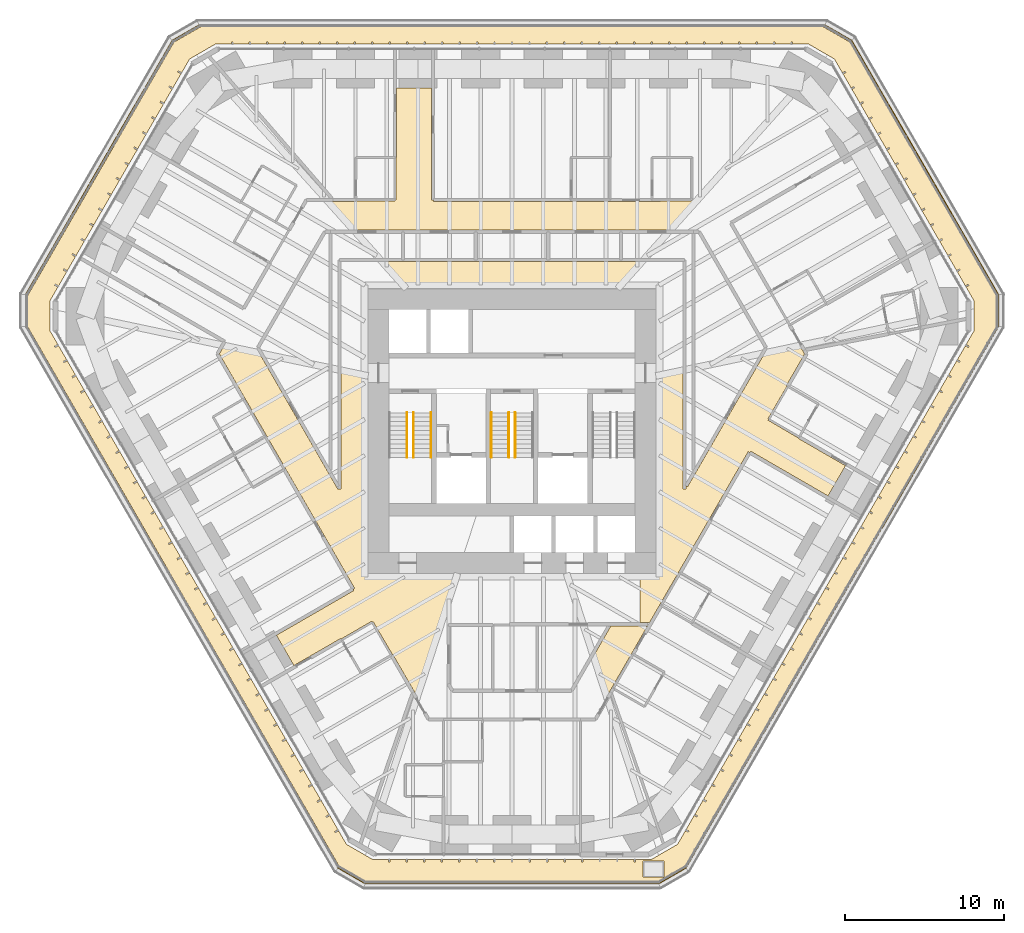
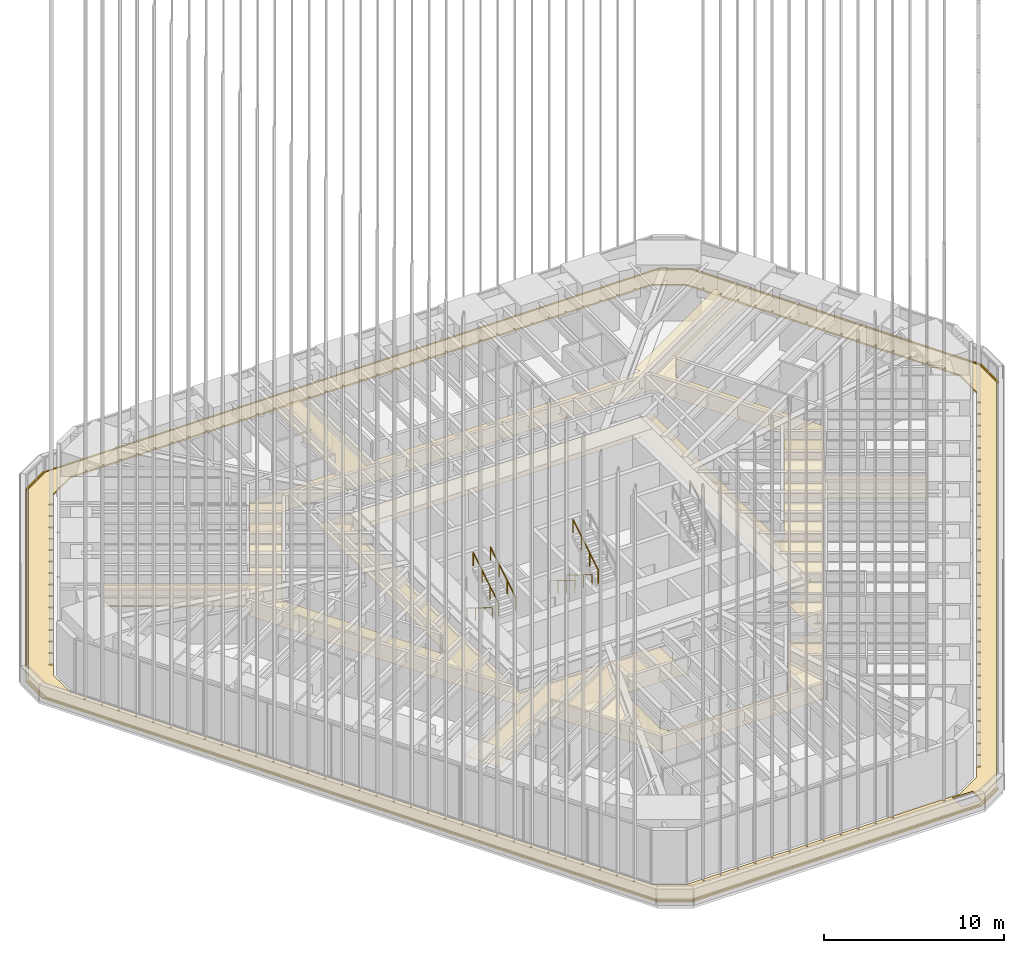
# One storey, part 237 of 238: 6 railings, 3 coverings.
"""IFC4 building model written with IfcOpenShell, lengths in metres."""

import ifcopenshell
import ifcopenshell.guid

model = None  # the IFC model being written
_history = None  # IfcOwnerHistory: only IFC2X3 demands one
_inside = {}  # id of a spatial element -> (the spatial element, [elements in it])
_under = {}  # id of a project, library or spatial element -> (it, [spatial elements below it])
_declared = {}  # id of a project -> (the project, [libraries it declares])
_typed = {}  # id of a type object -> (the type object, [elements of that type])
_made_of = {}  # id of a material, layer set ... -> (it, [elements and type objects made of it])


def new_model(schema):
    """Start an empty IFC model of exactly this schema.

    Asked for "IFC4X3", IfcOpenShell would pick the latest addendum, in which some entities
    have other attributes; the version numbers below select the first issue.
    IFC2X3 requires an IfcOwnerHistory on every rooted entity: one is made here for all.
    """
    global model, _history
    if schema == "IFC4X3":
        model = ifcopenshell.file(schema_version=(4, 3, 0, 0))
    else:
        model = ifcopenshell.file(schema=schema)
    _inside.clear()
    _under.clear()
    _declared.clear()
    _typed.clear()
    _made_of.clear()
    _history = None
    if model.schema == "IFC2X3":
        org = make("IfcOrganization", Name="unknown")
        user = make(
            "IfcPersonAndOrganization",
            ThePerson=make("IfcPerson", FamilyName="unknown"),
            TheOrganization=org,
        )
        app = make(
            "IfcApplication",
            ApplicationDeveloper=org,
            Version="unknown",
            ApplicationFullName="unknown",
            ApplicationIdentifier="unknown",
        )
        _history = make(
            "IfcOwnerHistory",
            OwningUser=user,
            OwningApplication=app,
            ChangeAction="ADDED",
            CreationDate=0,
        )
    return model


def make(cls, **values):
    """One entity of the class cls with the attributes given. An attribute that is None is left unset."""
    return model.create_entity(
        cls, **{name: value for name, value in values.items() if value is not None}
    )


def rooted(cls, **values):
    """An entity with a GlobalId (a new one), such as an element, a storey or a relation."""
    return make(cls, GlobalId=ifcopenshell.guid.new(), OwnerHistory=_history, **values)


def si_unit(unit_type, name, prefix=None):
    """IfcSIUnit, for example si_unit("LENGTHUNIT", "METRE", prefix="MILLI")."""
    return make("IfcSIUnit", UnitType=unit_type, Prefix=prefix, Name=name)


def assignment(units):
    """IfcUnitAssignment: the units of a project."""
    return None if units is None else make("IfcUnitAssignment", Units=units)


def point(xyz):
    """IfcCartesianPoint."""
    return None if xyz is None else make("IfcCartesianPoint", Coordinates=xyz)


def direction(xyz):
    """IfcDirection."""
    return None if xyz is None else make("IfcDirection", DirectionRatios=xyz)


def frame(location, z_axis=None, x_axis=None):
    """IfcAxis2Placement3D, a coordinate frame: its origin and axes. An axis left out is left unset."""
    return make(
        "IfcAxis2Placement3D",
        Location=point(location),
        Axis=direction(z_axis),
        RefDirection=direction(x_axis),
    )


def frame_2d(location, x_axis=None):
    """IfcAxis2Placement2D, a coordinate frame in the plane: its origin and x axis."""
    return make(
        "IfcAxis2Placement2D", Location=point(location), RefDirection=direction(x_axis)
    )


def origin():
    """The frame at (0, 0, 0) with its axes left unset."""
    return frame((0.0, 0.0, 0.0))


def origin_2d():
    """The frame at (0, 0) in the plane with its x axis left unset."""
    return frame_2d((0.0, 0.0))


def place(relative_to, where):
    """IfcLocalPlacement: puts the frame where relative to a parent placement (None: the world)."""
    return make(
        "IfcLocalPlacement", PlacementRelTo=relative_to, RelativePlacement=where
    )


def context(
    kind, dimensions, precision=None, world=None, true_north=None, identifier=None
):
    """IfcGeometricRepresentationContext, for example the 3D "Model" context."""
    return make(
        "IfcGeometricRepresentationContext",
        ContextIdentifier=identifier,
        ContextType=kind,
        CoordinateSpaceDimension=dimensions,
        Precision=precision,
        WorldCoordinateSystem=world,
        TrueNorth=true_north,
    )


def subcontext(parent, identifier, kind, view, scale=None):
    """IfcGeometricRepresentationSubContext, for example "Body" below "Model"."""
    return make(
        "IfcGeometricRepresentationSubContext",
        ContextIdentifier=identifier,
        ContextType=kind,
        ParentContext=parent,
        TargetScale=scale,
        TargetView=view,
    )


def project(units=None, contexts=None):
    """IfcProject with its units and contexts."""
    return rooted(
        "IfcProject",
        Name="project",
        RepresentationContexts=contexts,
        UnitsInContext=assignment(units),
    )


def spatial(cls, under=None, at=None, **own):
    """A site, building, storey or space (cls), placed at a placement, below another one or the project."""
    s = rooted(cls, ObjectPlacement=at, **own)
    if under is not None:
        _under.setdefault(under.id(), (under, []))[1].append(s)
    return s


def polyline(points):
    """IfcPolyline through the points."""
    return make("IfcPolyline", Points=[point(p) for p in points])


def profile(cls, at=None, kind="AREA", **sizes):
    """A parametric profile (cls). Its sizes go by their IFC names, for example OverallWidth=200.0."""
    return make(cls, ProfileType=kind, Position=at, **sizes)


def circle(**sizes):
    """IfcCircleProfileDef."""
    return profile("IfcCircleProfileDef", **sizes)


def outline(outer, holes=None, kind="AREA"):
    """IfcArbitraryClosedProfileDef: a profile drawn as a closed curve; with holes, ...WithVoids."""
    if holes is None:
        return make("IfcArbitraryClosedProfileDef", ProfileType=kind, OuterCurve=outer)
    return make(
        "IfcArbitraryProfileDefWithVoids",
        ProfileType=kind,
        OuterCurve=outer,
        InnerCurves=holes,
    )


def extrude(swept, where, along, depth):
    """IfcExtrudedAreaSolid: the profile swept, set in the frame where, extruded along a direction by depth."""
    return make(
        "IfcExtrudedAreaSolid",
        SweptArea=swept,
        Position=where,
        ExtrudedDirection=direction(along),
        Depth=depth,
    )


def shape(context_of_items, identifier, shape_type, items):
    """IfcShapeRepresentation: the items that make up one representation, for example the "Body"."""
    return make(
        "IfcShapeRepresentation",
        ContextOfItems=context_of_items,
        RepresentationIdentifier=identifier,
        RepresentationType=shape_type,
        Items=items,
    )


def material(Name=None, Category=None):
    """IfcMaterial."""
    return make("IfcMaterial", Name=Name, Category=Category)


def layer(
    of_material, thickness, ventilated=None, Name=None, Category=None, Priority=None
):
    """IfcMaterialLayer: one layer of a wall or slab, of a material (None: an air gap)."""
    return make(
        "IfcMaterialLayer",
        Material=of_material,
        LayerThickness=thickness,
        IsVentilated=ventilated,
        Name=Name,
        Category=Category,
        Priority=Priority,
    )


def layer_set(layers, Name=None):
    """IfcMaterialLayerSet."""
    return make("IfcMaterialLayerSet", MaterialLayers=layers, LayerSetName=Name)


def made_of(thing, what):
    """Note that an element or type object is made of a material, layer set ...; save() writes the relation."""
    if what is not None:
        _made_of.setdefault(what.id(), (what, []))[1].append(thing)
    return thing


def type_object(cls, material=None, **own):
    """A type object (cls), such as IfcWallType, which elements share."""
    return made_of(rooted(cls, **own), material)


def element(
    cls,
    number,
    at=None,
    inside=None,
    cuts=None,
    type_object=None,
    material=None,
    context=None,
    identifier="Body",
    shape_type=None,
    held_by="IfcProductDefinitionShape",
    body=None,
    shapes=None,
    **own,
):
    """One element of the class cls, such as IfcWall. Its Tag is "e" and its number.

    at: its placement. inside: the storey or other place that contains it. cuts: it is an
    opening in that element (IfcRelVoidsElement). A single representation is given by context,
    identifier, shape_type and body (its items); several are given by shapes. held_by: the class
    of the entity that holds the representations. save() writes the other relations.
    """
    e = rooted(cls, Tag="e%d" % number, ObjectPlacement=at, **own)
    if body is not None:
        shapes = [shape(context, identifier, shape_type, body)]
    if shapes is not None:
        e.Representation = make(held_by, Representations=shapes)
    if inside is not None:
        _inside.setdefault(inside.id(), (inside, []))[1].append(e)
    if cuts is not None:
        rooted(
            "IfcRelVoidsElement", RelatingBuildingElement=cuts, RelatedOpeningElement=e
        )
    if type_object is not None:
        _typed.setdefault(type_object.id(), (type_object, []))[1].append(e)
    return made_of(e, material)


def aggregate(whole, parts):
    """IfcRelAggregates: a whole, such as a stair, and the parts it consists of."""
    return rooted("IfcRelAggregates", RelatingObject=whole, RelatedObjects=parts)


def save(model, path):
    """Write the relations noted so far, then the file.

    IfcRelAggregates (storeys below a building ...), IfcRelContainedInSpatialStructure (elements
    in a storey), IfcRelDefinesByType, IfcRelAssociatesMaterial and IfcRelDeclares: one each for
    every whole, place, type object, material and project.
    """
    for whole, parts in _under.values():
        aggregate(whole, parts)
    for where, things in _inside.values():
        rooted(
            "IfcRelContainedInSpatialStructure",
            RelatedElements=things,
            RelatingStructure=where,
        )
    for kind, things in _typed.values():
        rooted("IfcRelDefinesByType", RelatedObjects=things, RelatingType=kind)
    for what, things in _made_of.values():
        rooted("IfcRelAssociatesMaterial", RelatedObjects=things, RelatingMaterial=what)
    for by, libraries in _declared.values():
        rooted("IfcRelDeclares", RelatingContext=by, RelatedDefinitions=libraries)
    model.write(path)


model = new_model("IFC4")

# Units and contexts
model_context = context("Model", 3, precision=1e-05, world=origin(), true_north=direction((0.0, 1.0)))
body_context = subcontext(model_context, "Body", "Model", "MODEL_VIEW")
ifc_project = project(units=[si_unit("LENGTHUNIT", "METRE"), si_unit("AREAUNIT", "SQUARE_METRE"), si_unit("VOLUMEUNIT", "CUBIC_METRE"), si_unit("PLANEANGLEUNIT", "RADIAN"), si_unit("MASSUNIT", "GRAM", prefix="KILO")], contexts=[model_context])

# Site, building, storey
site_placement = place(None, origin())
site = spatial("IfcSite", under=ifc_project, at=site_placement, CompositionType="ELEMENT")
building_placement = place(site_placement, origin())
building = spatial("IfcBuilding", under=site, at=building_placement, Name="Sandreach Pilgrim Tower", CompositionType="ELEMENT")
storey_placement = place(building_placement, frame((0.0, 0.0, 96.800048828125)))
storey = spatial("IfcBuildingStorey", under=building, at=storey_placement, Name="L23", CompositionType="ELEMENT", Elevation=96.800048828125)

# Coverings
ifc_material_1 = material(Name="Gypsum board suspended ceiling on a steel grid", Category="steel")
ifc_layer_1 = layer(ifc_material_1, 0.012939453125)
ifc_layer_set_1 = layer_set([ifc_layer_1], Name="Gypsum board suspended ceiling")
covering_type_1 = type_object("IfcCoveringType", Name="Gypsum board suspended ceiling", PredefinedType="CEILING", material=ifc_layer_set_1)
covering_1_placement = place(storey_placement, frame((0.0, 0.0, 2.39990234375)))
element("IfcCovering", 1, at=covering_1_placement, inside=storey, type_object=covering_type_1, Name="Ceiling 23C Corridor 23", PredefinedType="CEILING", context=body_context, shape_type="SweptSolid", body=[
    extrude(outline(polyline([(-24.987548828125, 8.184814453125), (-23.88671875, 10.09130859375), (-16.929931640625, 6.073486328125), (-16.869873046875, 6.165771484375), (-16.788330078125, 6.11865234375), (-12.872314453125, 12.889892578125), (-9.81005859375, 12.889892578125), (-9.81005859375, 12.929931640625), (-7.360107421875, 12.929931640625), (-7.360107421875, 12.989013671875), (-7.300048828125, 12.989990234375), (-7.284912109375, 15.659912109375), (-7.260009765625, 15.659912109375), (-7.260009765625, 20.03369140625), (-5.06005859375, 20.03369140625), (-5.06005859375, 12.989990234375), (-4.949951171875, 12.989990234375), (-4.949951171875, 12.889892578125), (8.820068359375, 12.889892578125), (10.1357421875, 12.929931640625), (11.25, 12.929931640625), (11.25, 12.9638671875), (11.295166015625, 12.950439453125), (11.308349609375, 12.965576171875), (12.234375, 12.993896484375), (12.049560546875, 13.314208984375), (19.796142578125, 17.786865234375), (20.02734375, 17.515380859375), (19.707275390625, 17.33056640625), (20.6796875, 15.646240234375), (13.719970703125, 11.626708984375), (13.7724609375, 11.52978515625), (13.6884765625, 11.4814453125), (18.412109375, 3.2958984375), (17.263427734375, 1.31005859375), (17.306396484375, 1.28515625), (16.09814453125, -0.7900390625), (16.14892578125, -0.8193359375), (16.119873046875, -0.871826171875), (18.032470703125, -1.9951171875), (18.02001953125, -2.0166015625), (20.981201171875, -3.72705078125), (19.880615234375, -5.63330078125), (15.012939453125, -2.82080078125), (14.962890625, -2.907470703125), (14.863525390625, -2.85009765625), (8.6533203125, -13.60009765625), (8.050048828125, -13.60009765625), (8.050048828125, -10.52001953125), (9.070068359375, -10.52001953125), (9.070068359375, 7.419921875), (-9.070068359375, 7.419921875), (-9.070068359375, -10.52001953125), (-0.175048828125, -10.52001953125), (-0.175048828125, -13.68994140625), (-1.199951171875, -13.67919921875), (-1.199951171875, -13.64990234375), (-3.989990234375, -13.64990234375), (-3.989990234375, -13.75), (-4.10009765625, -13.75), (-4.10009765625, -17.487060546875), (-3.8076171875, -17.989990234375), (3.8076171875, -17.989990234375), (6.2265625, -13.800048828125), (8.537353515625, -13.800048828125), (5.192138671875, -19.590087890625), (-5.192138671875, -19.590087890625), (-7.503662109375, -15.599853515625), (-7.52392578125, -15.611572265625), (-8.738037109375, -13.5400390625), (-8.79052734375, -13.569091796875), (-8.820068359375, -13.51806640625), (-10.739990234375, -14.6279296875), (-10.760009765625, -14.593505859375), (-13.72021484375, -16.30322265625), (-14.821044921875, -14.396728515625), (-9.952880859375, -11.583984375), (-10.00048828125, -11.501708984375), (-9.9033203125, -11.440185546875), (-18.41455078125, 3.30029296875), (-18.0009765625, 4.01708984375), (-18.083251953125, 4.064453125), (-18.030029296875, 4.16650390625), (-24.987548828125, 8.184814453125)]), holes=[polyline([(-16.095458984375, 3.699951171875), (-10.965576171875, -5.18994140625), (-10.85009765625, -5.19482421875), (-10.75, -5.18994140625), (-10.75, 9.10009765625), (10.75, 9.10009765625), (10.75, -5.18994140625), (10.949951171875, -5.18994140625), (10.949951171875, -4.99365234375), (11.047119140625, -5.050048828125), (16.095458984375, 3.699951171875), (11.82763671875, 11.090087890625), (-11.82763671875, 11.090087890625), (-16.095458984375, 3.699951171875)])]), origin(), (0.0, 0.0, 1.0), 0.012939453125),
])
ifc_material_2 = material(Name="Gravel ballast, insulation and waterproofing membrane", Category="stone")
ifc_layer_2 = layer(ifc_material_2, 0.10009765625)
ifc_layer_set_2 = layer_set([ifc_layer_2], Name="Setback roofing - ballast over insulation and membrane")
covering_type_2 = type_object("IfcCoveringType", Name="Setback roofing - ballast over insulation and membrane", PredefinedType="ROOFING", material=ifc_layer_set_2)
covering_2_placement = place(storey_placement, origin())
element("IfcCovering", 2, at=covering_2_placement, inside=storey, type_object=covering_type_2, Name="Setback roofing L23 RING", PredefinedType="ROOFING", context=body_context, shape_type="SweptSolid", body=[
    extrude(outline(polyline([(-19.577392578125, 23.88427734375), (19.577392578125, 23.88427734375), (21.264892578125, 22.915283203125), (30.477783203125, 6.95849609375), (30.472900390625, 5.012451171875), (10.8955078125, -28.896484375), (9.212646484375, -29.87353515625), (-9.212646484375, -29.87353515625), (-10.8955078125, -28.896484375), (-30.472900390625, 5.012451171875), (-30.477783203125, 6.95849609375), (-21.264892578125, 22.915283203125), (-19.577392578125, 23.88427734375)]), holes=[polyline([(-20.28271484375, 21.853759765625), (-20.77880859375, 20.994384765625), (-20.9912109375, 21.11669921875), (-21.0361328125, 21.038818359375), (-20.823974609375, 20.91650390625), (-21.332275390625, 20.035888671875), (-21.54443359375, 20.158203125), (-21.589599609375, 20.080322265625), (-21.377197265625, 19.9580078125), (-21.8857421875, 19.077392578125), (-22.097900390625, 19.199951171875), (-22.142822265625, 19.121826171875), (-21.9306640625, 18.99951171875), (-22.43896484375, 18.118896484375), (-22.651123046875, 18.241455078125), (-22.6962890625, 18.16357421875), (-22.48388671875, 18.041015625), (-22.992431640625, 17.160400390625), (-23.20458984375, 17.282958984375), (-23.24951171875, 17.205078125), (-23.037353515625, 17.08251953125), (-23.5458984375, 16.201904296875), (-23.7578125, 16.324462890625), (-23.802978515625, 16.24658203125), (-23.5908203125, 16.1240234375), (-24.09912109375, 15.243408203125), (-24.311279296875, 15.365966796875), (-24.356201171875, 15.2880859375), (-24.14404296875, 15.16552734375), (-24.652587890625, 14.28515625), (-24.86474609375, 14.40771484375), (-24.90966796875, 14.32958984375), (-24.697509765625, 14.20703125), (-25.205810546875, 13.32666015625), (-25.41796875, 13.44921875), (-25.462890625, 13.37109375), (-25.2509765625, 13.248779296875), (-25.75927734375, 12.3681640625), (-25.971435546875, 12.49072265625), (-26.016357421875, 12.41259765625), (-25.80419921875, 12.290283203125), (-26.3125, 11.40966796875), (-26.52490234375, 11.5322265625), (-26.56982421875, 11.454345703125), (-26.357666015625, 11.331787109375), (-26.865966796875, 10.451416015625), (-27.078125, 10.57373046875), (-27.123046875, 10.495849609375), (-26.910888671875, 10.373291015625), (-27.419189453125, 9.492919921875), (-27.631591796875, 9.615234375), (-27.676513671875, 9.537353515625), (-27.46435546875, 9.414794921875), (-27.97265625, 8.5341796875), (-28.184814453125, 8.65673828125), (-28.22998046875, 8.578857421875), (-28.017578125, 8.456298828125), (-28.526123046875, 7.575927734375), (-28.73828125, 7.698486328125), (-28.783203125, 7.620361328125), (-28.571044921875, 7.497802734375), (-29.0673828125, 6.638427734375), (-29.0673828125, 4.75830078125), (-28.57373046875, 3.903564453125), (-28.785888671875, 3.781005859375), (-28.740966796875, 3.703125), (-28.52880859375, 3.82568359375), (-28.02294921875, 2.94970703125), (-28.235107421875, 2.8271484375), (-28.190185546875, 2.749267578125), (-27.97802734375, 2.871826171875), (-27.472412109375, 1.995849609375), (-27.6845703125, 1.873291015625), (-27.639404296875, 1.79541015625), (-27.42724609375, 1.91796875), (-26.921630859375, 1.0419921875), (-27.1337890625, 0.91943359375), (-27.0888671875, 0.841552734375), (-26.876708984375, 0.964111328125), (-26.370849609375, 0.088134765625), (-26.5830078125, -0.0341796875), (-26.5380859375, -0.1123046875), (-26.325927734375, 0.01025390625), (-25.8203125, -0.865478515625), (-26.032470703125, -0.988037109375), (-25.9873046875, -1.066162109375), (-25.775146484375, -0.943603515625), (-25.26953125, -1.819580078125), (-25.481689453125, -1.94189453125), (-25.436767578125, -2.02001953125), (-25.224609375, -1.8974609375), (-24.71875, -2.773193359375), (-24.930908203125, -2.895751953125), (-24.885986328125, -2.973876953125), (-24.673828125, -2.851318359375), (-24.168212890625, -3.727294921875), (-24.38037109375, -3.849609375), (-24.335205078125, -3.927490234375), (-24.123046875, -3.80517578125), (-23.617431640625, -4.680908203125), (-23.82958984375, -4.803466796875), (-23.78466796875, -4.881591796875), (-23.572509765625, -4.759033203125), (-23.066650390625, -5.635009765625), (-23.27880859375, -5.75732421875), (-23.23388671875, -5.835205078125), (-23.021728515625, -5.712890625), (-22.51611328125, -6.588623046875), (-22.728271484375, -6.711181640625), (-22.68310546875, -6.7890625), (-22.470947265625, -6.66650390625), (-21.96533203125, -7.54248046875), (-22.177490234375, -7.6650390625), (-22.132568359375, -7.742919921875), (-21.92041015625, -7.62060546875), (-21.41455078125, -8.496337890625), (-21.626708984375, -8.618896484375), (-21.581787109375, -8.69677734375), (-21.36962890625, -8.57421875), (-20.864013671875, -9.4501953125), (-21.076171875, -9.57275390625), (-21.031005859375, -9.650634765625), (-20.81884765625, -9.5283203125), (-20.313232421875, -10.404052734375), (-20.525390625, -10.526611328125), (-20.48046875, -10.6044921875), (-20.268310546875, -10.48193359375), (-19.762451171875, -11.35791015625), (-19.974609375, -11.48046875), (-19.9296875, -11.558349609375), (-19.717529296875, -11.435791015625), (-19.2119140625, -12.311767578125), (-19.424072265625, -12.434326171875), (-19.37890625, -12.51220703125), (-19.166748046875, -12.3896484375), (-18.6611328125, -13.265625), (-18.873291015625, -13.38818359375), (-18.828369140625, -13.466064453125), (-18.6162109375, -13.343505859375), (-18.1103515625, -14.219482421875), (-18.322509765625, -14.342041015625), (-18.277587890625, -14.419921875), (-18.0654296875, -14.29736328125), (-17.559814453125, -15.17333984375), (-17.77197265625, -15.2958984375), (-17.726806640625, -15.373779296875), (-17.5146484375, -15.251220703125), (-17.009033203125, -16.127197265625), (-17.22119140625, -16.24951171875), (-17.17626953125, -16.32763671875), (-16.964111328125, -16.205078125), (-16.458251953125, -17.0810546875), (-16.67041015625, -17.20361328125), (-16.62548828125, -17.281494140625), (-16.413330078125, -17.158935546875), (-15.90771484375, -18.034912109375), (-16.119873046875, -18.1572265625), (-16.07470703125, -18.2353515625), (-15.862548828125, -18.11279296875), (-15.35693359375, -18.98876953125), (-15.569091796875, -19.111083984375), (-15.524169921875, -19.189208984375), (-15.31201171875, -19.066650390625), (-14.80615234375, -19.9423828125), (-15.018310546875, -20.06494140625), (-14.973388671875, -20.14306640625), (-14.76123046875, -20.0205078125), (-14.255615234375, -20.896484375), (-14.4677734375, -21.018798828125), (-14.422607421875, -21.0966796875), (-14.21044921875, -20.974365234375), (-13.704833984375, -21.85009765625), (-13.9169921875, -21.97265625), (-13.8720703125, -22.050537109375), (-13.659912109375, -21.927978515625), (-13.154052734375, -22.803955078125), (-13.3662109375, -22.926513671875), (-13.3212890625, -23.00439453125), (-13.109130859375, -22.882080078125), (-12.603515625, -23.7578125), (-12.815673828125, -23.88037109375), (-12.7705078125, -23.958251953125), (-12.558349609375, -23.835693359375), (-12.052734375, -24.711669921875), (-12.264892578125, -24.834228515625), (-12.219970703125, -24.912109375), (-12.0078125, -24.789794921875), (-11.501953125, -25.66552734375), (-11.714111328125, -25.7880859375), (-11.669189453125, -25.865966796875), (-11.45703125, -25.743408203125), (-10.951416015625, -26.619384765625), (-11.163330078125, -26.741943359375), (-11.118408203125, -26.81982421875), (-10.90625, -26.697509765625), (-10.41259765625, -27.55224609375), (-8.78466796875, -28.4921875), (-7.77197265625, -28.4921875), (-7.77197265625, -28.6572265625), (-7.681884765625, -28.6572265625), (-7.681884765625, -28.4921875), (-6.668212890625, -28.4921875), (-6.668212890625, -28.6572265625), (-6.578125, -28.6572265625), (-6.578125, -28.4921875), (-5.564208984375, -28.4921875), (-5.564208984375, -28.6572265625), (-5.47412109375, -28.6572265625), (-5.47412109375, -28.4921875), (-4.46044921875, -28.4921875), (-4.46044921875, -28.6572265625), (-4.370361328125, -28.6572265625), (-4.370361328125, -28.4921875), (-3.3564453125, -28.4921875), (-3.3564453125, -28.6572265625), (-3.2666015625, -28.6572265625), (-3.2666015625, -28.4921875), (-2.252685546875, -28.4921875), (-2.252685546875, -28.6572265625), (-2.16259765625, -28.6572265625), (-2.16259765625, -28.4921875), (-1.148681640625, -28.4921875), (-1.148681640625, -28.6572265625), (-1.058837890625, -28.6572265625), (-1.058837890625, -28.4921875), (-0.044921875, -28.4921875), (-0.044921875, -28.6572265625), (0.044921875, -28.6572265625), (0.044921875, -28.4921875), (1.058837890625, -28.4921875), (1.058837890625, -28.6572265625), (1.148681640625, -28.6572265625), (1.148681640625, -28.4921875), (2.16259765625, -28.4921875), (2.16259765625, -28.6572265625), (2.252685546875, -28.6572265625), (2.252685546875, -28.4921875), (3.2666015625, -28.4921875), (3.2666015625, -28.6572265625), (3.3564453125, -28.6572265625), (3.3564453125, -28.4921875), (4.370361328125, -28.4921875), (4.370361328125, -28.6572265625), (4.46044921875, -28.6572265625), (4.46044921875, -28.4921875), (7.681884765625, -28.4921875), (7.681884765625, -28.6572265625), (7.77197265625, -28.6572265625), (7.77197265625, -28.4921875), (8.78466796875, -28.4921875), (10.41259765625, -27.55224609375), (10.91162109375, -26.68798828125), (11.089111328125, -26.79052734375), (11.13427734375, -26.71240234375), (10.956787109375, -26.610107421875), (11.462158203125, -25.734619140625), (11.6396484375, -25.837158203125), (11.6845703125, -25.75927734375), (11.507080078125, -25.65673828125), (12.012451171875, -24.781494140625), (12.18994140625, -24.8837890625), (12.235107421875, -24.805908203125), (12.057373046875, -24.70361328125), (12.562744140625, -23.828125), (12.740234375, -23.9306640625), (12.785400390625, -23.852783203125), (12.60791015625, -23.750244140625), (13.11328125, -22.875), (13.290771484375, -22.977294921875), (13.335693359375, -22.8994140625), (13.158203125, -22.797119140625), (13.66357421875, -21.921630859375), (13.841064453125, -22.024169921875), (13.885986328125, -21.9462890625), (13.70849609375, -21.84375), (14.2138671875, -20.968505859375), (14.391357421875, -21.07080078125), (14.436279296875, -20.992919921875), (14.2587890625, -20.890380859375), (14.76416015625, -20.01513671875), (14.94189453125, -20.11767578125), (14.98681640625, -20.039794921875), (14.80908203125, -19.937255859375), (15.314697265625, -19.06201171875), (15.4921875, -19.164306640625), (15.537109375, -19.08642578125), (15.359619140625, -18.98388671875), (15.864990234375, -18.108642578125), (16.04248046875, -18.211181640625), (16.08740234375, -18.13330078125), (15.909912109375, -18.03076171875), (16.415283203125, -17.155517578125), (16.593017578125, -17.2578125), (16.637939453125, -17.179931640625), (16.460205078125, -17.077392578125), (16.9658203125, -16.2021484375), (17.143310546875, -16.3046875), (17.188232421875, -16.226806640625), (17.0107421875, -16.124267578125), (17.51611328125, -15.248779296875), (17.693603515625, -15.351318359375), (17.738525390625, -15.2734375), (17.56103515625, -15.1708984375), (18.06640625, -14.295654296875), (18.243896484375, -14.398193359375), (18.288818359375, -14.3203125), (18.111328125, -14.2177734375), (18.61669921875, -13.34228515625), (18.794189453125, -13.44482421875), (18.83935546875, -13.366943359375), (18.661865234375, -13.264404296875), (19.1669921875, -12.38916015625), (19.3447265625, -12.49169921875), (19.3896484375, -12.413818359375), (19.212158203125, -12.311279296875), (19.717529296875, -11.435791015625), (19.89501953125, -11.538330078125), (19.93994140625, -11.46044921875), (19.762451171875, -11.35791015625), (20.267822265625, -10.482666015625), (20.4453125, -10.585205078125), (20.490478515625, -10.507080078125), (20.31298828125, -10.40478515625), (20.818115234375, -9.529296875), (20.995849609375, -9.6318359375), (21.040771484375, -9.553955078125), (20.86328125, -9.451416015625), (21.36865234375, -8.576171875), (21.546142578125, -8.6787109375), (21.591064453125, -8.6005859375), (21.41357421875, -8.498291015625), (21.9189453125, -7.622802734375), (22.096435546875, -7.725341796875), (22.1416015625, -7.6474609375), (21.9638671875, -7.544921875), (22.46923828125, -6.669677734375), (22.646728515625, -6.772216796875), (22.69189453125, -6.694091796875), (22.514404296875, -6.591552734375), (23.019775390625, -5.71630859375), (23.197265625, -5.81884765625), (23.2421875, -5.740966796875), (23.064697265625, -5.638427734375), (23.570068359375, -4.76318359375), (23.74755859375, -4.865478515625), (23.79248046875, -4.78759765625), (23.614990234375, -4.68505859375), (24.120361328125, -3.809814453125), (24.2978515625, -3.912353515625), (24.343017578125, -3.83447265625), (24.165283203125, -3.73193359375), (24.6708984375, -2.856689453125), (24.848388671875, -2.958984375), (24.893310546875, -2.881103515625), (24.7158203125, -2.778564453125), (25.22119140625, -1.9033203125), (25.398681640625, -2.005859375), (25.443603515625, -1.927978515625), (25.26611328125, -1.825439453125), (25.771484375, -0.9501953125), (25.948974609375, -1.052490234375), (25.993896484375, -0.974609375), (25.81640625, -0.8720703125), (26.32177734375, 0.003173828125), (26.49951171875, -0.099365234375), (26.54443359375, -0.021484375), (26.36669921875, 0.0810546875), (26.872314453125, 0.95654296875), (27.0498046875, 0.85400390625), (27.0947265625, 0.931884765625), (26.917236328125, 1.034423828125), (27.422607421875, 1.90966796875), (27.60009765625, 1.80712890625), (27.64501953125, 1.88525390625), (27.467529296875, 1.98779296875), (27.972900390625, 2.863037109375), (28.150390625, 2.760498046875), (28.195556640625, 2.83837890625), (28.017822265625, 2.94091796875), (28.523193359375, 3.816162109375), (28.70068359375, 3.713623046875), (28.745849609375, 3.791748046875), (28.568359375, 3.894287109375), (29.0673828125, 4.75830078125), (29.0673828125, 6.638427734375), (28.56591796875, 7.506591796875), (28.743408203125, 7.609130859375), (28.698486328125, 7.68701171875), (28.52099609375, 7.584716796875), (28.013427734375, 8.4638671875), (28.19091796875, 8.56640625), (28.14599609375, 8.644287109375), (27.968505859375, 8.541748046875), (27.460693359375, 9.421142578125), (27.63818359375, 9.523681640625), (27.59326171875, 9.6015625), (27.415771484375, 9.4990234375), (26.908203125, 10.37841796875), (27.085693359375, 10.480712890625), (27.04052734375, 10.558837890625), (26.863037109375, 10.456298828125), (26.35546875, 11.33544921875), (26.532958984375, 11.43798828125), (26.488037109375, 11.51611328125), (26.310302734375, 11.41357421875), (25.802734375, 12.292724609375), (25.980224609375, 12.395263671875), (25.935302734375, 12.47314453125), (25.7578125, 12.37060546875), (25.25, 13.25), (25.427734375, 13.352294921875), (25.3828125, 13.430419921875), (25.205078125, 13.327880859375), (24.697509765625, 14.20703125), (24.875, 14.3095703125), (24.830078125, 14.3876953125), (24.652587890625, 14.28515625), (24.14501953125, 15.164306640625), (24.322509765625, 15.266845703125), (24.27734375, 15.3447265625), (24.099853515625, 15.2421875), (23.59228515625, 16.12158203125), (23.769775390625, 16.22412109375), (23.724609375, 16.302001953125), (23.547119140625, 16.199462890625), (23.03955078125, 17.078857421875), (23.217041015625, 17.181396484375), (23.172119140625, 17.25927734375), (22.99462890625, 17.15673828125), (22.48681640625, 18.035888671875), (22.66455078125, 18.138427734375), (22.619384765625, 18.21630859375), (22.44189453125, 18.114013671875), (21.934326171875, 18.9931640625), (22.11181640625, 19.095703125), (22.06689453125, 19.173583984375), (21.889404296875, 19.071044921875), (21.381591796875, 19.950439453125), (21.55908203125, 20.052978515625), (21.51416015625, 20.130859375), (21.336669921875, 20.0283203125), (20.8291015625, 20.90771484375), (21.006591796875, 21.010009765625), (20.96142578125, 21.088134765625), (20.783935546875, 20.985595703125), (20.28271484375, 21.853759765625), (18.654541015625, 22.793701171875), (17.635009765625, 22.793701171875), (17.635009765625, 22.918701171875), (17.544921875, 22.918701171875), (17.544921875, 22.793701171875), (16.535400390625, 22.793701171875), (16.535400390625, 22.918701171875), (16.445556640625, 22.918701171875), (16.445556640625, 22.793701171875), (15.43603515625, 22.793701171875), (15.43603515625, 22.918701171875), (15.34619140625, 22.918701171875), (15.34619140625, 22.793701171875), (14.3369140625, 22.793701171875), (14.3369140625, 22.918701171875), (14.246826171875, 22.918701171875), (14.246826171875, 22.793701171875), (13.2373046875, 22.793701171875), (13.2373046875, 22.918701171875), (13.1474609375, 22.918701171875), (13.1474609375, 22.793701171875), (12.137939453125, 22.793701171875), (12.137939453125, 22.918701171875), (12.048095703125, 22.918701171875), (12.048095703125, 22.793701171875), (11.038818359375, 22.793701171875), (11.038818359375, 22.918701171875), (10.94873046875, 22.918701171875), (10.94873046875, 22.793701171875), (9.939208984375, 22.793701171875), (9.939208984375, 22.918701171875), (9.849365234375, 22.918701171875), (9.849365234375, 22.793701171875), (8.83984375, 22.793701171875), (8.83984375, 22.918701171875), (8.75, 22.918701171875), (8.75, 22.793701171875), (7.740478515625, 22.793701171875), (7.740478515625, 22.918701171875), (7.650634765625, 22.918701171875), (7.650634765625, 22.793701171875), (6.64111328125, 22.793701171875), (6.64111328125, 22.918701171875), (6.55126953125, 22.918701171875), (6.55126953125, 22.793701171875), (5.541748046875, 22.793701171875), (5.541748046875, 22.918701171875), (5.451904296875, 22.918701171875), (5.451904296875, 22.793701171875), (4.4423828125, 22.793701171875), (4.4423828125, 22.918701171875), (4.3525390625, 22.918701171875), (4.3525390625, 22.793701171875), (3.343017578125, 22.793701171875), (3.343017578125, 22.918701171875), (3.253173828125, 22.918701171875), (3.253173828125, 22.793701171875), (2.24365234375, 22.793701171875), (2.24365234375, 22.918701171875), (2.15380859375, 22.918701171875), (2.15380859375, 22.793701171875), (1.144287109375, 22.793701171875), (1.144287109375, 22.918701171875), (1.054443359375, 22.918701171875), (1.054443359375, 22.793701171875), (0.044921875, 22.793701171875), (0.044921875, 22.918701171875), (-0.044921875, 22.918701171875), (-0.044921875, 22.793701171875), (-1.054443359375, 22.793701171875), (-1.054443359375, 22.918701171875), (-1.144287109375, 22.918701171875), (-1.144287109375, 22.793701171875), (-2.15380859375, 22.793701171875), (-2.15380859375, 22.918701171875), (-2.24365234375, 22.918701171875), (-2.24365234375, 22.793701171875), (-3.253173828125, 22.793701171875), (-3.253173828125, 22.918701171875), (-3.343017578125, 22.918701171875), (-3.343017578125, 22.793701171875), (-4.3525390625, 22.793701171875), (-4.3525390625, 22.918701171875), (-4.4423828125, 22.918701171875), (-4.4423828125, 22.793701171875), (-5.451904296875, 22.793701171875), (-5.451904296875, 22.918701171875), (-5.541748046875, 22.918701171875), (-5.541748046875, 22.793701171875), (-6.55126953125, 22.793701171875), (-6.55126953125, 22.918701171875), (-6.64111328125, 22.918701171875), (-6.64111328125, 22.793701171875), (-7.650634765625, 22.793701171875), (-7.650634765625, 22.918701171875), (-7.740478515625, 22.918701171875), (-7.740478515625, 22.793701171875), (-8.75, 22.793701171875), (-8.75, 22.918701171875), (-8.83984375, 22.918701171875), (-8.83984375, 22.793701171875), (-9.849365234375, 22.793701171875), (-9.849365234375, 22.918701171875), (-9.939208984375, 22.918701171875), (-9.939208984375, 22.793701171875), (-10.94873046875, 22.793701171875), (-10.94873046875, 22.918701171875), (-11.038818359375, 22.918701171875), (-11.038818359375, 22.793701171875), (-12.048095703125, 22.793701171875), (-12.048095703125, 22.918701171875), (-12.137939453125, 22.918701171875), (-12.137939453125, 22.793701171875), (-13.1474609375, 22.793701171875), (-13.1474609375, 22.918701171875), (-13.2373046875, 22.918701171875), (-13.2373046875, 22.793701171875), (-14.246826171875, 22.793701171875), (-14.246826171875, 22.918701171875), (-14.3369140625, 22.918701171875), (-14.3369140625, 22.793701171875), (-15.34619140625, 22.793701171875), (-15.34619140625, 22.918701171875), (-15.43603515625, 22.918701171875), (-15.43603515625, 22.793701171875), (-16.445556640625, 22.793701171875), (-16.445556640625, 22.918701171875), (-16.535400390625, 22.918701171875), (-16.535400390625, 22.793701171875), (-17.544921875, 22.793701171875), (-17.544921875, 22.918701171875), (-17.635009765625, 22.918701171875), (-17.635009765625, 22.793701171875), (-18.654541015625, 22.793701171875), (-20.28271484375, 21.853759765625)]), polyline([(9.550048828125, -29.612060546875), (9.550048828125, -28.612060546875), (8.25, -28.612060546875), (8.25, -29.612060546875), (9.550048828125, -29.612060546875)])]), origin(), (0.0, 0.0, 1.0), 0.099853515625),
])
covering_3_placement = place(storey_placement, origin())
element("IfcCovering", 3, at=covering_3_placement, inside=storey, type_object=covering_type_2, Name="Setback roofing L23 RING part 2", PredefinedType="ROOFING", context=body_context, shape_type="SweptSolid", body=[
    extrude(outline(polyline([(-19.715576171875, 24.002685546875), (19.715576171875, 24.002685546875), (21.380126953125, 23.04345703125), (30.646484375, 6.993896484375), (30.644775390625, 5.07275390625), (10.92919921875, -29.075439453125), (9.26611328125, -30.03759765625), (-9.26611328125, -30.03759765625), (-10.92919921875, -29.075439453125), (-30.644775390625, 5.07275390625), (-30.646484375, 6.993896484375), (-21.380126953125, 23.04345703125), (-19.715576171875, 24.002685546875)]), holes=[polyline([(-30.587646484375, 6.97802734375), (-30.5830078125, 4.992431640625), (-30.546630859375, 4.992431640625), (-30.577880859375, 4.974365234375), (-10.981201171875, -28.968505859375), (-10.94970703125, -28.950439453125), (-10.968017578125, -28.981689453125), (-9.250732421875, -29.978759765625), (-9.232421875, -29.947265625), (-9.232421875, -29.983642578125), (9.232421875, -29.983642578125), (9.232421875, -29.947265625), (9.250732421875, -29.978759765625), (10.968017578125, -28.981689453125), (10.94970703125, -28.950439453125), (10.981201171875, -28.968505859375), (30.577880859375, 4.974365234375), (30.546630859375, 4.992431640625), (30.5830078125, 4.992431640625), (30.587646484375, 6.97802734375), (30.55126953125, 6.97802734375), (30.582763671875, 6.996337890625), (21.350341796875, 22.9873046875), (21.31884765625, 22.968994140625), (21.3369140625, 23.000732421875), (19.614990234375, 23.9892578125), (19.596923828125, 23.9580078125), (19.596923828125, 23.994140625), (-19.596923828125, 23.994140625), (-19.596923828125, 23.9580078125), (-19.614990234375, 23.9892578125), (-21.3369140625, 23.000732421875), (-21.31884765625, 22.968994140625), (-21.350341796875, 22.9873046875), (-30.582763671875, 6.996337890625), (-30.55126953125, 6.97802734375), (-30.587646484375, 6.97802734375)])]), origin(), (0.0, 0.0, 1.0), 0.099853515625),
])

# Railings
ifc_material_3 = material(Name="Stainless steel tube", Category="steel")
railing_type = type_object("IfcRailingType", Name="Stair handrail", PredefinedType="HANDRAIL", material=ifc_material_3)
railing_1_placement = place(storey_placement, frame((-6.60009765625, -0.39990234375, 0.172607421875)))
element("IfcRailing", 4, at=railing_1_placement, inside=storey, type_object=railing_type, Name="Handrail ST1 L23 flight 1", PredefinedType="HANDRAIL", context=body_context, shape_type="SweptSolid", body=[
    extrude(circle(Radius=0.02392578125, at=origin_2d()), frame((0.0, 0.0, 0.8759765625), z_axis=(0.0, -0.851089632645, 0.525020415988), x_axis=(1.0, 0.0, 0.0)), (0.0, 0.0, 1.0), 3.2900390625),
    extrude(circle(Radius=0.02099609375, at=origin_2d()), origin(), (0.0, 0.0, 1.0), 0.851806640625),
    extrude(circle(Radius=0.02099609375, at=origin_2d()), frame((0.0, -0.933349609375, 0.57568359375)), (0.0, 0.0, 1.0), 0.851806640625),
    extrude(circle(Radius=0.02099609375, at=origin_2d()), frame((0.0, -1.86669921875, 1.151611328125)), (0.0, 0.0, 1.0), 0.851806640625),
    extrude(circle(Radius=0.02099609375, at=origin_2d()), frame((0.0, -2.800048828125, 1.727294921875)), (0.0, 0.0, 1.0), 0.851806640625),
])
for number, where, name in (
    (5, (-6.199951171875, -3.199951171875, 2.07275390625), "Handrail ST1 L23 flight 2"),
    (6, (-5.10009765625, -3.199951171875, 2.07275390625), "Handrail ST1 L23 flight 2"),
):
    element("IfcRailing", number, at=place(storey_placement, frame(where)), inside=storey, type_object=railing_type, Name=name, PredefinedType="HANDRAIL", context=body_context, shape_type="SweptSolid", body=[
        extrude(circle(Radius=0.02392578125, at=origin_2d()), frame((0.0, 0.0, 0.8759765625), z_axis=(0.0, 0.851089632645, 0.525020415988), x_axis=(-1.0, 0.0, 0.0)), (0.0, 0.0, 1.0), 3.2900390625),
        extrude(circle(Radius=0.02099609375, at=origin_2d()), origin(), (0.0, 0.0, 1.0), 0.851806640625),
        extrude(circle(Radius=0.02099609375, at=origin_2d()), frame((0.0, 0.933349609375, 0.57568359375)), (0.0, 0.0, 1.0), 0.851806640625),
        extrude(circle(Radius=0.02099609375, at=origin_2d()), frame((0.0, 1.86669921875, 1.151611328125)), (0.0, 0.0, 1.0), 0.851806640625),
        extrude(circle(Radius=0.02099609375, at=origin_2d()), frame((0.0, 2.800048828125, 1.727294921875)), (0.0, 0.0, 1.0), 0.851806640625),
    ])
for number, where, name in (
    (7, (-0.199951171875, -0.39990234375, 0.172607421875), "Handrail ST3 L23 flight 1"),
    (8, (-1.300048828125, -0.39990234375, 0.172607421875), "Handrail ST3 L23 flight 1"),
):
    element("IfcRailing", number, at=place(storey_placement, frame(where)), inside=storey, type_object=railing_type, Name=name, PredefinedType="HANDRAIL", context=body_context, shape_type="SweptSolid", body=[
        extrude(circle(Radius=0.02392578125, at=origin_2d()), frame((0.0, 0.0, 0.8759765625), z_axis=(0.0, -0.851089632645, 0.525020415988), x_axis=(1.0, 0.0, 0.0)), (0.0, 0.0, 1.0), 3.2900390625),
        extrude(circle(Radius=0.02099609375, at=origin_2d()), origin(), (0.0, 0.0, 1.0), 0.851806640625),
        extrude(circle(Radius=0.02099609375, at=origin_2d()), frame((0.0, -0.933349609375, 0.57568359375)), (0.0, 0.0, 1.0), 0.851806640625),
        extrude(circle(Radius=0.02099609375, at=origin_2d()), frame((0.0, -1.86669921875, 1.151611328125)), (0.0, 0.0, 1.0), 0.851806640625),
        extrude(circle(Radius=0.02099609375, at=origin_2d()), frame((0.0, -2.800048828125, 1.727294921875)), (0.0, 0.0, 1.0), 0.851806640625),
    ])
railing_2_placement = place(storey_placement, frame((0.199951171875, -3.199951171875, 2.07275390625)))
element("IfcRailing", 9, at=railing_2_placement, inside=storey, type_object=railing_type, Name="Handrail ST3 L23 flight 2", PredefinedType="HANDRAIL", context=body_context, shape_type="SweptSolid", body=[
    extrude(circle(Radius=0.02392578125, at=origin_2d()), frame((0.0, 0.0, 0.8759765625), z_axis=(0.0, 0.851089632645, 0.525020415988), x_axis=(-1.0, 0.0, 0.0)), (0.0, 0.0, 1.0), 3.2900390625),
    extrude(circle(Radius=0.02099609375, at=origin_2d()), origin(), (0.0, 0.0, 1.0), 0.851806640625),
    extrude(circle(Radius=0.02099609375, at=origin_2d()), frame((0.0, 0.933349609375, 0.57568359375)), (0.0, 0.0, 1.0), 0.851806640625),
    extrude(circle(Radius=0.02099609375, at=origin_2d()), frame((0.0, 1.86669921875, 1.151611328125)), (0.0, 0.0, 1.0), 0.851806640625),
    extrude(circle(Radius=0.02099609375, at=origin_2d()), frame((0.0, 2.800048828125, 1.727294921875)), (0.0, 0.0, 1.0), 0.851806640625),
])

save(model, "model.ifc")
